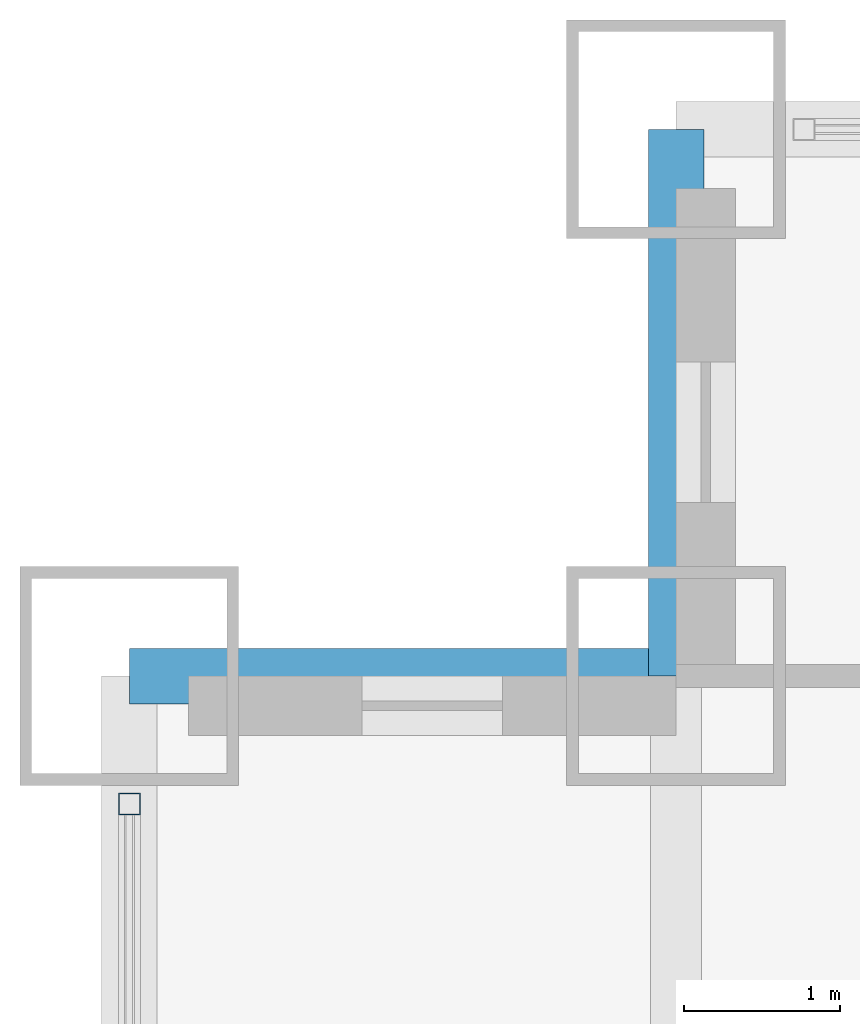
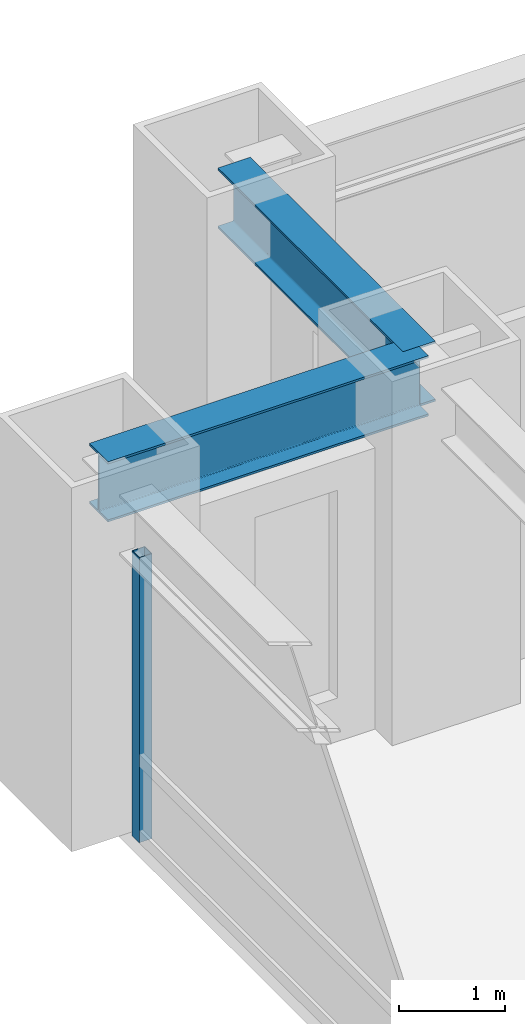
# One storey, part 14 of 27: 2 beams, 1 member, 1 element without a shape of its own.
"""IFC4 building model written with IfcOpenShell, lengths in metres."""

from ifc_helpers import new_model, si_unit, direction, frame, origin, origin_2d, place, context, subcontext, project, spatial, hollow_rectangle, i_section, extrude, source, transform, mapped, material, material_profile, profile_set, type_object, element, aggregate, save


model = new_model("IFC4")

# Units and contexts
model_context = context("Model", 3, precision=1e-05, world=origin(), true_north=direction((0.0, 1.0)))
body_context = subcontext(model_context, "Body", "Model", "MODEL_VIEW")
ifc_project = project(units=[si_unit("LENGTHUNIT", "METRE"), si_unit("AREAUNIT", "SQUARE_METRE"), si_unit("VOLUMEUNIT", "CUBIC_METRE"), si_unit("PLANEANGLEUNIT", "RADIAN"), si_unit("MASSUNIT", "GRAM", prefix="KILO")], contexts=[model_context])

# Site, building, storey
site_placement = place(None, origin())
site = spatial("IfcSite", under=ifc_project, at=site_placement, CompositionType="ELEMENT")
building_placement = place(site_placement, origin())
building = spatial("IfcBuilding", under=site, at=building_placement, Name="Khorayat Bourse Tower", CompositionType="ELEMENT")
storey_placement = place(building_placement, frame((0.0, 0.0, 45.199951171875)))
storey = spatial("IfcBuildingStorey", under=building, at=storey_placement, Name="L09", CompositionType="ELEMENT", Elevation=45.199951171875)

# Beams
ifc_material_1 = material(Name="Steel ASTM A992 Grade 50", Category="steel")
ifc_material_profile_1 = material_profile(ifc_material_1, i_section(OverallWidth=0.35498046875, OverallDepth=0.695068359375, WebThickness=0.015380859375, FlangeThickness=0.02490234375, FilletRadius=0.01806640625, at=origin_2d()), Name="W690X217")
ifc_profile_set_1 = profile_set([ifc_material_profile_1], Name="Steel ASTM A992 Grade 50")
beam_type = type_object("IfcBeamType", Name="BM-SPAN-690", PredefinedType="SPANDREL", material=ifc_profile_set_1)
shared_shape_1 = source(origin(), body_context, "Body", "SweptSolid", [
    extrude(i_section(OverallWidth=0.35498046875, OverallDepth=0.695068359375, WebThickness=0.015380859375, FlangeThickness=0.02490234375, FilletRadius=0.01806640625, at=origin_2d()), origin(), (0.0, 0.0, 1.0), 3.5),
])
for number, where, z_axis, x_axis, name in (
    (1, (-28.5, 28.5, 3.592529296875), (0.0, 1.0, 0.0), (-1.0, 0.0, 0.0), "L09 BM-SPAN-690 BM-L09-SPN-052"),
    (2, (-32.0, 28.5, 3.592529296875), (1.0, 0.0, 0.0), (0.0, 1.0, 0.0), "L09 BM-SPAN-690 BM-L09-SPN-053"),
):
    element("IfcBeam", number, at=place(storey_placement, frame(where, z_axis=z_axis, x_axis=x_axis)), inside=storey, type_object=beam_type, Name=name, PredefinedType="SPANDREL", context=body_context, shape_type="MappedRepresentation", body=[
        mapped(shared_shape_1, transform((0.0, 0.0, 0.0), scale=1.0)),
    ])

# Curtain wall, member
ifc_material_2 = material(Name="Aluminium EN AW-6063 T6", Category="aluminium")
curtain_wall_type = type_object("IfcCurtainWallType", Name="CW-SYS-02", PredefinedType="NOTDEFINED", material=ifc_material_2)
curtain_wall_placement = place(storey_placement, origin())
curtain_wall = element("IfcCurtainWall", 3, at=curtain_wall_placement, inside=storey, type_object=curtain_wall_type, Name="L09 Curtain Wall CW-L09-W1", PredefinedType="NOTDEFINED")
ifc_material_profile_2 = material_profile(ifc_material_2, hollow_rectangle(XDim=0.139892578125, YDim=0.139892578125, WallThickness=0.006103515625, at=origin_2d()), Name="ALU 140x140x6")
ifc_profile_set_2 = profile_set([ifc_material_profile_2], Name="Aluminium EN AW-6063 T6")
member_type = type_object("IfcMemberType", Name="CWM-VERT-140", PredefinedType="MULLION", material=ifc_profile_set_2)
shared_shape_2 = source(origin(), body_context, "Body", "SweptSolid", [
    extrude(hollow_rectangle(XDim=0.139892578125, YDim=0.139892578125, WallThickness=0.006103515625, at=origin_2d()), origin(), (0.0, 0.0, 1.0), 3.2900390625),
])
member_placement = place(storey_placement, frame((-32.0, 27.679931640625, 0.0), z_axis=(0.0, 0.0, 1.0), x_axis=(-1.0, 0.0, 0.0)))
member = element("IfcMember", 4, at=member_placement, type_object=member_type, Name="CW-L09-W1 Vertical Mullion 4", PredefinedType="MULLION", context=body_context, shape_type="MappedRepresentation", body=[
    mapped(shared_shape_2, transform((0.0, 0.0, 0.0), scale=1.0)),
])
aggregate(curtain_wall, [member])

save(model, "model.ifc")
